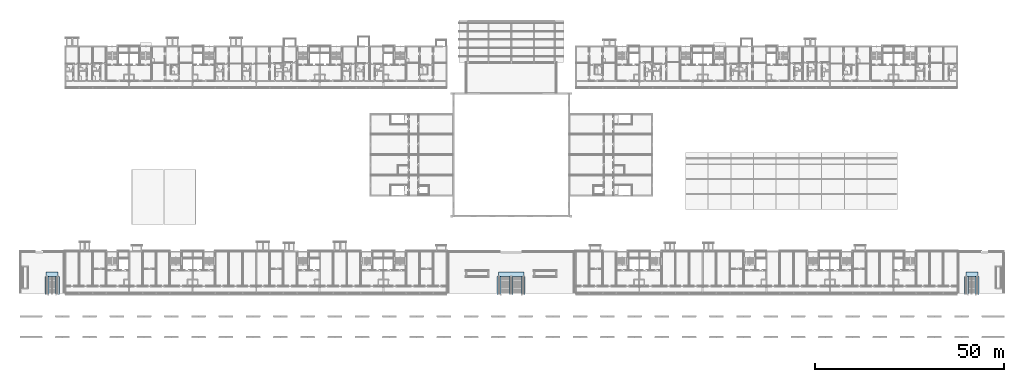
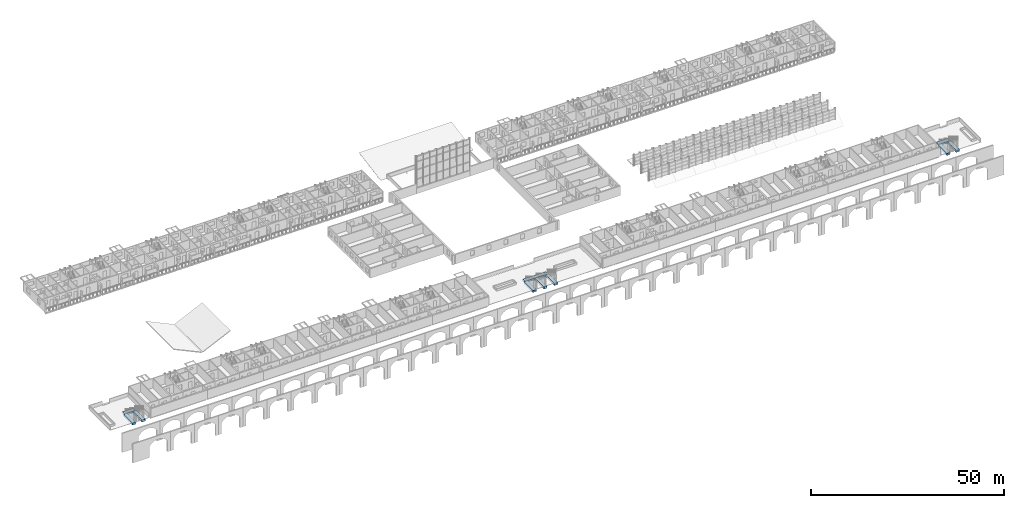
# One storey, part 1 of 122: 10 footings.
"""IFC4 building model written with IfcOpenShell, lengths in metres."""

import ifcopenshell
import ifcopenshell.guid

model = None  # the IFC model being written
_history = None  # IfcOwnerHistory: only IFC2X3 demands one
_inside = {}  # id of a spatial element -> (the spatial element, [elements in it])
_under = {}  # id of a project, library or spatial element -> (it, [spatial elements below it])
_declared = {}  # id of a project -> (the project, [libraries it declares])
_typed = {}  # id of a type object -> (the type object, [elements of that type])
_made_of = {}  # id of a material, layer set ... -> (it, [elements and type objects made of it])


def new_model(schema):
    """Start an empty IFC model of exactly this schema.

    Asked for "IFC4X3", IfcOpenShell would pick the latest addendum, in which some entities
    have other attributes; the version numbers below select the first issue.
    IFC2X3 requires an IfcOwnerHistory on every rooted entity: one is made here for all.
    """
    global model, _history
    if schema == "IFC4X3":
        model = ifcopenshell.file(schema_version=(4, 3, 0, 0))
    else:
        model = ifcopenshell.file(schema=schema)
    _inside.clear()
    _under.clear()
    _declared.clear()
    _typed.clear()
    _made_of.clear()
    _history = None
    if model.schema == "IFC2X3":
        org = make("IfcOrganization", Name="unknown")
        user = make(
            "IfcPersonAndOrganization",
            ThePerson=make("IfcPerson", FamilyName="unknown"),
            TheOrganization=org,
        )
        app = make(
            "IfcApplication",
            ApplicationDeveloper=org,
            Version="unknown",
            ApplicationFullName="unknown",
            ApplicationIdentifier="unknown",
        )
        _history = make(
            "IfcOwnerHistory",
            OwningUser=user,
            OwningApplication=app,
            ChangeAction="ADDED",
            CreationDate=0,
        )
    return model


def make(cls, **values):
    """One entity of the class cls with the attributes given. An attribute that is None is left unset."""
    return model.create_entity(
        cls, **{name: value for name, value in values.items() if value is not None}
    )


def rooted(cls, **values):
    """An entity with a GlobalId (a new one), such as an element, a storey or a relation."""
    return make(cls, GlobalId=ifcopenshell.guid.new(), OwnerHistory=_history, **values)


def si_unit(unit_type, name, prefix=None):
    """IfcSIUnit, for example si_unit("LENGTHUNIT", "METRE", prefix="MILLI")."""
    return make("IfcSIUnit", UnitType=unit_type, Prefix=prefix, Name=name)


def assignment(units):
    """IfcUnitAssignment: the units of a project."""
    return None if units is None else make("IfcUnitAssignment", Units=units)


def point(xyz):
    """IfcCartesianPoint."""
    return None if xyz is None else make("IfcCartesianPoint", Coordinates=xyz)


def direction(xyz):
    """IfcDirection."""
    return None if xyz is None else make("IfcDirection", DirectionRatios=xyz)


def frame(location, z_axis=None, x_axis=None):
    """IfcAxis2Placement3D, a coordinate frame: its origin and axes. An axis left out is left unset."""
    return make(
        "IfcAxis2Placement3D",
        Location=point(location),
        Axis=direction(z_axis),
        RefDirection=direction(x_axis),
    )


def origin():
    """The frame at (0, 0, 0) with its axes left unset."""
    return frame((0.0, 0.0, 0.0))


def place(relative_to, where):
    """IfcLocalPlacement: puts the frame where relative to a parent placement (None: the world)."""
    return make(
        "IfcLocalPlacement", PlacementRelTo=relative_to, RelativePlacement=where
    )


def context(
    kind, dimensions, precision=None, world=None, true_north=None, identifier=None
):
    """IfcGeometricRepresentationContext, for example the 3D "Model" context."""
    return make(
        "IfcGeometricRepresentationContext",
        ContextIdentifier=identifier,
        ContextType=kind,
        CoordinateSpaceDimension=dimensions,
        Precision=precision,
        WorldCoordinateSystem=world,
        TrueNorth=true_north,
    )


def subcontext(parent, identifier, kind, view, scale=None):
    """IfcGeometricRepresentationSubContext, for example "Body" below "Model"."""
    return make(
        "IfcGeometricRepresentationSubContext",
        ContextIdentifier=identifier,
        ContextType=kind,
        ParentContext=parent,
        TargetScale=scale,
        TargetView=view,
    )


def project(units=None, contexts=None):
    """IfcProject with its units and contexts."""
    return rooted(
        "IfcProject",
        Name="project",
        RepresentationContexts=contexts,
        UnitsInContext=assignment(units),
    )


def spatial(cls, under=None, at=None, **own):
    """A site, building, storey or space (cls), placed at a placement, below another one or the project."""
    s = rooted(cls, ObjectPlacement=at, **own)
    if under is not None:
        _under.setdefault(under.id(), (under, []))[1].append(s)
    return s


def polyline(points):
    """IfcPolyline through the points."""
    return make("IfcPolyline", Points=[point(p) for p in points])


def outline(outer, holes=None, kind="AREA"):
    """IfcArbitraryClosedProfileDef: a profile drawn as a closed curve; with holes, ...WithVoids."""
    if holes is None:
        return make("IfcArbitraryClosedProfileDef", ProfileType=kind, OuterCurve=outer)
    return make(
        "IfcArbitraryProfileDefWithVoids",
        ProfileType=kind,
        OuterCurve=outer,
        InnerCurves=holes,
    )


def extrude(swept, where, along, depth):
    """IfcExtrudedAreaSolid: the profile swept, set in the frame where, extruded along a direction by depth."""
    return make(
        "IfcExtrudedAreaSolid",
        SweptArea=swept,
        Position=where,
        ExtrudedDirection=direction(along),
        Depth=depth,
    )


def shape(context_of_items, identifier, shape_type, items):
    """IfcShapeRepresentation: the items that make up one representation, for example the "Body"."""
    return make(
        "IfcShapeRepresentation",
        ContextOfItems=context_of_items,
        RepresentationIdentifier=identifier,
        RepresentationType=shape_type,
        Items=items,
    )


def material(Name=None, Category=None):
    """IfcMaterial."""
    return make("IfcMaterial", Name=Name, Category=Category)


def made_of(thing, what):
    """Note that an element or type object is made of a material, layer set ...; save() writes the relation."""
    if what is not None:
        _made_of.setdefault(what.id(), (what, []))[1].append(thing)
    return thing


def type_object(cls, material=None, **own):
    """A type object (cls), such as IfcWallType, which elements share."""
    return made_of(rooted(cls, **own), material)


def element(
    cls,
    number,
    at=None,
    inside=None,
    cuts=None,
    type_object=None,
    material=None,
    context=None,
    identifier="Body",
    shape_type=None,
    held_by="IfcProductDefinitionShape",
    body=None,
    shapes=None,
    **own,
):
    """One element of the class cls, such as IfcWall. Its Tag is "e" and its number.

    at: its placement. inside: the storey or other place that contains it. cuts: it is an
    opening in that element (IfcRelVoidsElement). A single representation is given by context,
    identifier, shape_type and body (its items); several are given by shapes. held_by: the class
    of the entity that holds the representations. save() writes the other relations.
    """
    e = rooted(cls, Tag="e%d" % number, ObjectPlacement=at, **own)
    if body is not None:
        shapes = [shape(context, identifier, shape_type, body)]
    if shapes is not None:
        e.Representation = make(held_by, Representations=shapes)
    if inside is not None:
        _inside.setdefault(inside.id(), (inside, []))[1].append(e)
    if cuts is not None:
        rooted(
            "IfcRelVoidsElement", RelatingBuildingElement=cuts, RelatedOpeningElement=e
        )
    if type_object is not None:
        _typed.setdefault(type_object.id(), (type_object, []))[1].append(e)
    return made_of(e, material)


def aggregate(whole, parts):
    """IfcRelAggregates: a whole, such as a stair, and the parts it consists of."""
    return rooted("IfcRelAggregates", RelatingObject=whole, RelatedObjects=parts)


def save(model, path):
    """Write the relations noted so far, then the file.

    IfcRelAggregates (storeys below a building ...), IfcRelContainedInSpatialStructure (elements
    in a storey), IfcRelDefinesByType, IfcRelAssociatesMaterial and IfcRelDeclares: one each for
    every whole, place, type object, material and project.
    """
    for whole, parts in _under.values():
        aggregate(whole, parts)
    for where, things in _inside.values():
        rooted(
            "IfcRelContainedInSpatialStructure",
            RelatedElements=things,
            RelatingStructure=where,
        )
    for kind, things in _typed.values():
        rooted("IfcRelDefinesByType", RelatedObjects=things, RelatingType=kind)
    for what, things in _made_of.values():
        rooted("IfcRelAssociatesMaterial", RelatedObjects=things, RelatingMaterial=what)
    for by, libraries in _declared.values():
        rooted("IfcRelDeclares", RelatingContext=by, RelatedDefinitions=libraries)
    model.write(path)


model = new_model("IFC4")

# Units and contexts
model_context = context("Model", 3, precision=1e-05, world=origin(), true_north=direction((0.0, 1.0)))
body_context = subcontext(model_context, "Body", "Model", "MODEL_VIEW")
ifc_project = project(units=[si_unit("LENGTHUNIT", "METRE"), si_unit("AREAUNIT", "SQUARE_METRE"), si_unit("VOLUMEUNIT", "CUBIC_METRE"), si_unit("PLANEANGLEUNIT", "RADIAN"), si_unit("MASSUNIT", "GRAM", prefix="KILO")], contexts=[model_context])

# Site, building, storey
site_placement = place(None, origin())
site = spatial("IfcSite", under=ifc_project, at=site_placement, CompositionType="ELEMENT")
building_placement = place(site_placement, origin())
building = spatial("IfcBuilding", under=site, at=building_placement, Name="Ridgestep Commons", CompositionType="ELEMENT")
storey_placement = place(building_placement, frame((0.0, 0.0, 3.0)))
storey = spatial("IfcBuildingStorey", under=building, at=storey_placement, Name="L01", CompositionType="ELEMENT", Elevation=3.0)

# Footings
ifc_material_1 = material(Name="Concrete C30/37", Category="concrete")
footing_type_1 = type_object("IfcFootingType", Name="Community stair foot pad 500", PredefinedType="PAD_FOOTING", material=ifc_material_1)
footing_1_placement = place(storey_placement, frame((0.0, 0.0, -0.5)))
element("IfcFooting", 1, at=footing_1_placement, inside=storey, type_object=footing_type_1, Name="Stair foot pad 500", PredefinedType="PAD_FOOTING", context=body_context, shape_type="SweptSolid", body=[
    extrude(outline(polyline([(126.39990234375, 16.2099609375), (133.199951171875, 16.2099609375), (133.199951171875, 17.409912109375), (126.39990234375, 17.409912109375), (126.39990234375, 16.2099609375)])), origin(), (0.0, 0.0, 1.0), 0.5),
])
footing_2_placement = place(storey_placement, frame((0.0, 0.0, -0.5)))
element("IfcFooting", 2, at=footing_2_placement, inside=storey, type_object=footing_type_1, Name="Stair foot pad 500", PredefinedType="PAD_FOOTING", context=body_context, shape_type="SweptSolid", body=[
    extrude(outline(polyline([(6.89990234375, 16.2099609375), (10.10009765625, 16.2099609375), (10.10009765625, 17.409912109375), (6.89990234375, 17.409912109375), (6.89990234375, 16.2099609375)])), origin(), (0.0, 0.0, 1.0), 0.5),
])
footing_3_placement = place(storey_placement, frame((0.0, 0.0, -0.5)))
element("IfcFooting", 3, at=footing_3_placement, inside=storey, type_object=footing_type_1, Name="Stair foot pad 500", PredefinedType="PAD_FOOTING", context=body_context, shape_type="SweptSolid", body=[
    extrude(outline(polyline([(249.89990234375, 16.2099609375), (253.10009765625, 16.2099609375), (253.10009765625, 17.409912109375), (249.89990234375, 17.409912109375), (249.89990234375, 16.2099609375)])), origin(), (0.0, 0.0, 1.0), 0.5),
])
ifc_material_2 = material(Name="Concrete C30/37", Category="concrete")
footing_type_2 = type_object("IfcFootingType", Name="Community strip footing 900 x 600", PredefinedType="STRIP_FOOTING", material=ifc_material_2)
footing_4_placement = place(storey_placement, frame((0.0, 0.0, -0.60009765625)))
element("IfcFooting", 4, at=footing_4_placement, inside=storey, type_object=footing_type_2, Name="Strip footing 900 x 600", PredefinedType="STRIP_FOOTING", context=body_context, shape_type="SweptSolid", body=[
    extrude(outline(polyline([(126.10009765625, 11.550048828125), (127.10009765625, 11.550048828125), (127.10009765625, 16.2099609375), (126.10009765625, 16.2099609375), (126.10009765625, 11.550048828125)])), origin(), (0.0, 0.0, 1.0), 0.60009765625),
])
footing_5_placement = place(storey_placement, frame((0.0, 0.0, -0.60009765625)))
element("IfcFooting", 5, at=footing_5_placement, inside=storey, type_object=footing_type_2, Name="Strip footing 900 x 600", PredefinedType="STRIP_FOOTING", context=body_context, shape_type="SweptSolid", body=[
    extrude(outline(polyline([(132.5, 11.550048828125), (133.5, 11.550048828125), (133.5, 16.2099609375), (132.5, 16.2099609375), (132.5, 11.550048828125)])), origin(), (0.0, 0.0, 1.0), 0.60009765625),
])
footing_6_placement = place(storey_placement, frame((0.0, 0.0, -0.60009765625)))
element("IfcFooting", 6, at=footing_6_placement, inside=storey, type_object=footing_type_2, Name="Strip footing 900 x 600", PredefinedType="STRIP_FOOTING", context=body_context, shape_type="SweptSolid", body=[
    extrude(outline(polyline([(129.35009765625, 11.550048828125), (130.25, 11.550048828125), (130.25, 16.2099609375), (129.35009765625, 16.2099609375), (129.35009765625, 11.550048828125)])), origin(), (0.0, 0.0, 1.0), 0.60009765625),
])
footing_7_placement = place(storey_placement, frame((0.0, 0.0, -0.60009765625)))
element("IfcFooting", 7, at=footing_7_placement, inside=storey, type_object=footing_type_2, Name="Strip footing 900 x 600", PredefinedType="STRIP_FOOTING", context=body_context, shape_type="SweptSolid", body=[
    extrude(outline(polyline([(6.60009765625, 11.550048828125), (7.60009765625, 11.550048828125), (7.60009765625, 16.2099609375), (6.60009765625, 16.2099609375), (6.60009765625, 11.550048828125)])), origin(), (0.0, 0.0, 1.0), 0.60009765625),
])
footing_8_placement = place(storey_placement, frame((0.0, 0.0, -0.60009765625)))
element("IfcFooting", 8, at=footing_8_placement, inside=storey, type_object=footing_type_2, Name="Strip footing 900 x 600", PredefinedType="STRIP_FOOTING", context=body_context, shape_type="SweptSolid", body=[
    extrude(outline(polyline([(9.39990234375, 11.550048828125), (10.39990234375, 11.550048828125), (10.39990234375, 16.2099609375), (9.39990234375, 16.2099609375), (9.39990234375, 11.550048828125)])), origin(), (0.0, 0.0, 1.0), 0.60009765625),
])
footing_9_placement = place(storey_placement, frame((0.0, 0.0, -0.60009765625)))
element("IfcFooting", 9, at=footing_9_placement, inside=storey, type_object=footing_type_2, Name="Strip footing 900 x 600", PredefinedType="STRIP_FOOTING", context=body_context, shape_type="SweptSolid", body=[
    extrude(outline(polyline([(249.60009765625, 11.550048828125), (250.60009765625, 11.550048828125), (250.60009765625, 16.2099609375), (249.60009765625, 16.2099609375), (249.60009765625, 11.550048828125)])), origin(), (0.0, 0.0, 1.0), 0.60009765625),
])
footing_10_placement = place(storey_placement, frame((0.0, 0.0, -0.60009765625)))
element("IfcFooting", 10, at=footing_10_placement, inside=storey, type_object=footing_type_2, Name="Strip footing 900 x 600", PredefinedType="STRIP_FOOTING", context=body_context, shape_type="SweptSolid", body=[
    extrude(outline(polyline([(252.39990234375, 11.550048828125), (253.39990234375, 11.550048828125), (253.39990234375, 16.2099609375), (252.39990234375, 16.2099609375), (252.39990234375, 11.550048828125)])), origin(), (0.0, 0.0, 1.0), 0.60009765625),
])

save(model, "model.ifc")
